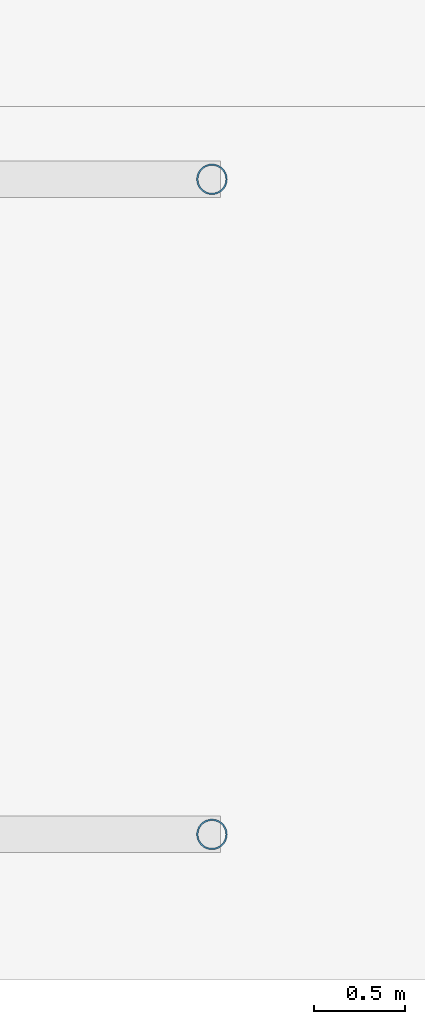
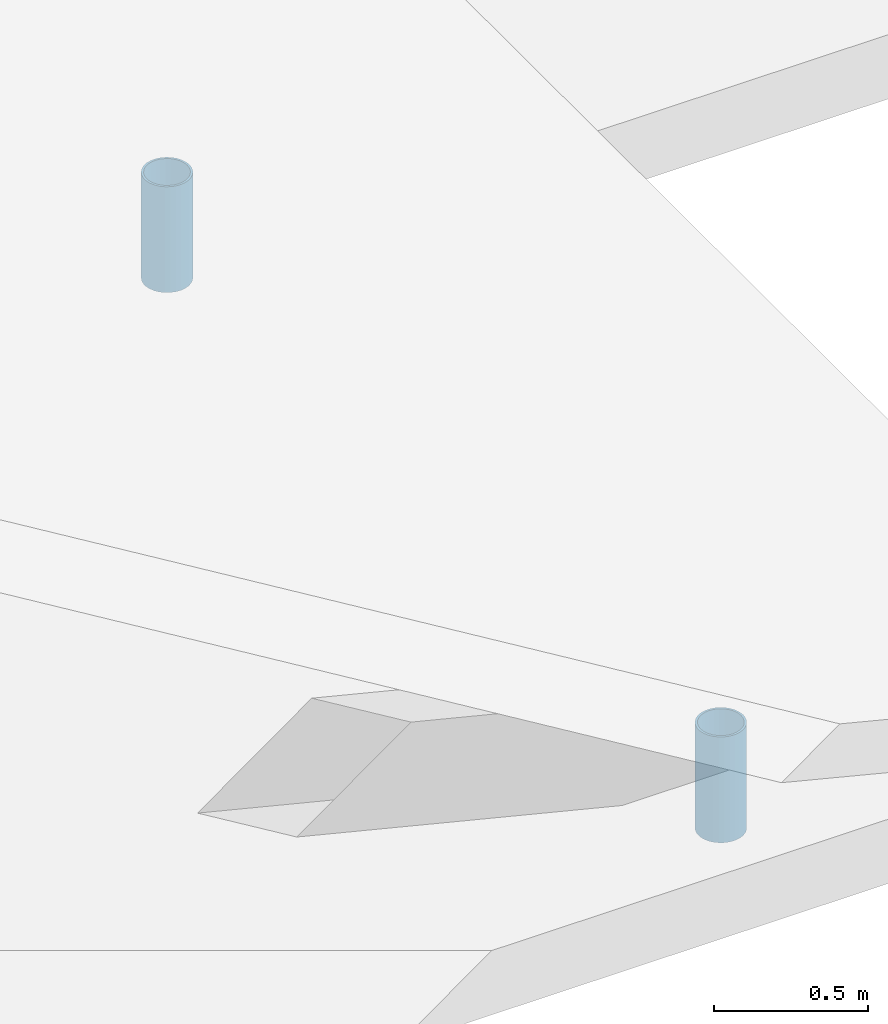
# One storey, part 162 of 217: 2 members.
"""IFC4 building model written with IfcOpenShell, lengths in metres."""

from ifc_helpers import new_model, si_unit, direction, frame, origin, origin_2d, place, context, subcontext, project, spatial, hollow_circle, extrude, material, material_profile, profile_set, type_object, element, save


model = new_model("IFC4")

# Units and contexts
model_context = context("Model", 3, precision=1e-05, world=origin(), true_north=direction((0.0, 1.0)))
body_context = subcontext(model_context, "Body", "Model", "MODEL_VIEW")
ifc_project = project(units=[si_unit("LENGTHUNIT", "METRE"), si_unit("AREAUNIT", "SQUARE_METRE"), si_unit("VOLUMEUNIT", "CUBIC_METRE"), si_unit("PLANEANGLEUNIT", "RADIAN"), si_unit("MASSUNIT", "GRAM", prefix="KILO")], contexts=[model_context])

# Site, building, storey
site_placement = place(None, origin())
site = spatial("IfcSite", under=ifc_project, at=site_placement, CompositionType="ELEMENT")
building_placement = place(site_placement, origin())
building = spatial("IfcBuilding", under=site, at=building_placement, Name="Mazaris Harbour Polytechnic", CompositionType="ELEMENT")
storey_placement = place(building_placement, frame((0.0, 0.0, 9.60009765625)))
storey = spatial("IfcBuildingStorey", under=building, at=storey_placement, Name="L02", CompositionType="ELEMENT", Elevation=9.60009765625)

# Members
ifc_material = material(Name="Steel S355", Category="steel")
ifc_material_profile = material_profile(ifc_material, hollow_circle(Radius=0.084228515625, WallThickness=0.008056640625, at=origin_2d()), Name="CHS 168.3x8.0")
ifc_profile_set = profile_set([ifc_material_profile], Name="Steel S355")
member_type = type_object("IfcMemberType", Name="Steel Truss Strut CHS168 Exterior", PredefinedType="STRUT", material=ifc_profile_set)
for number, where, z_axis, x_axis, name in (
    (1, (96.0, -1.199951171875, -0.300048828125), (0.0, 0.0, 1.0), (1.0, 0.0, 0.0), "Portico Pediment Heel Post 96.0"),
    (2, (96.0, 2.39990234375, -0.300048828125), (0.0, 0.0, 1.0), (1.0, 0.0, 0.0), "Portico Pediment Heel Post 96.0"),
):
    element("IfcMember", number, at=place(storey_placement, frame(where, z_axis=z_axis, x_axis=x_axis)), inside=storey, type_object=member_type, Name=name, PredefinedType="STRUT", context=body_context, shape_type="SweptSolid", body=[
        extrude(hollow_circle(Radius=0.084228515625, WallThickness=0.008056640625, at=origin_2d()), origin(), (0.0, 0.0, 1.0), 0.419921875),
    ])

save(model, "model.ifc")
